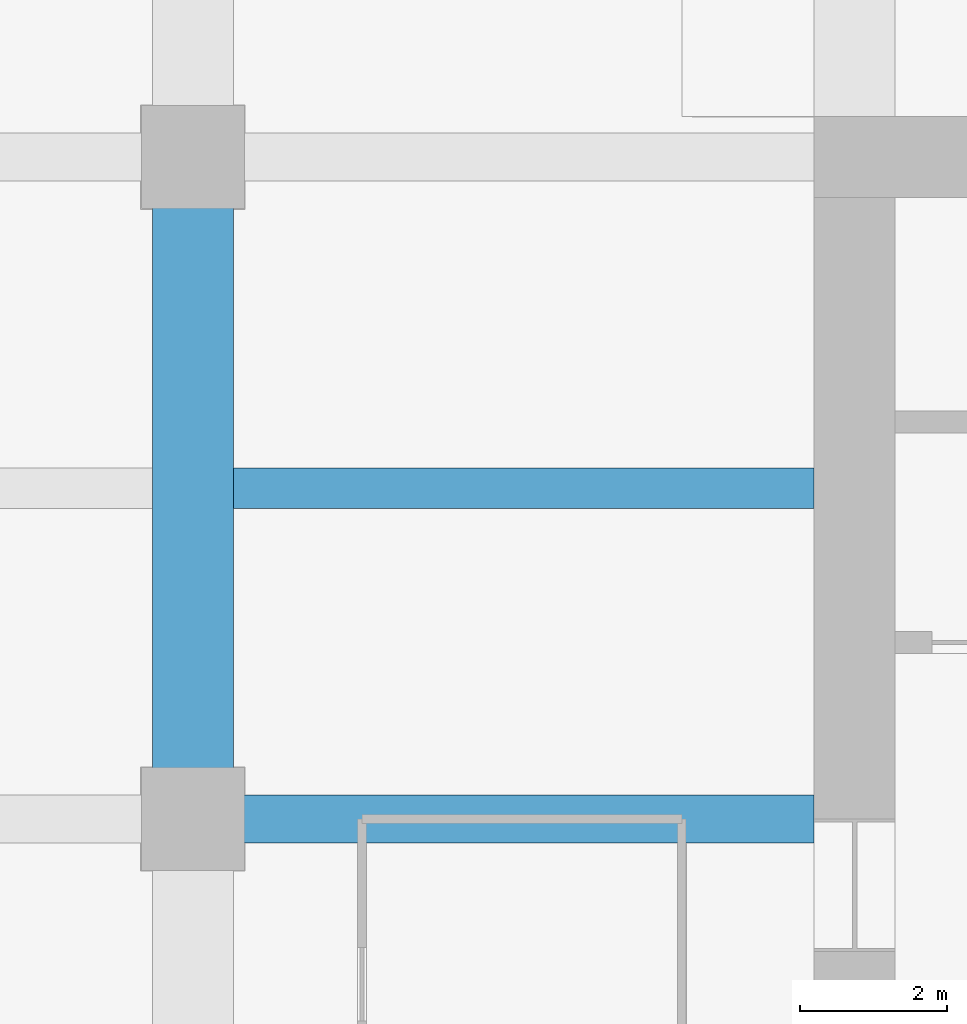
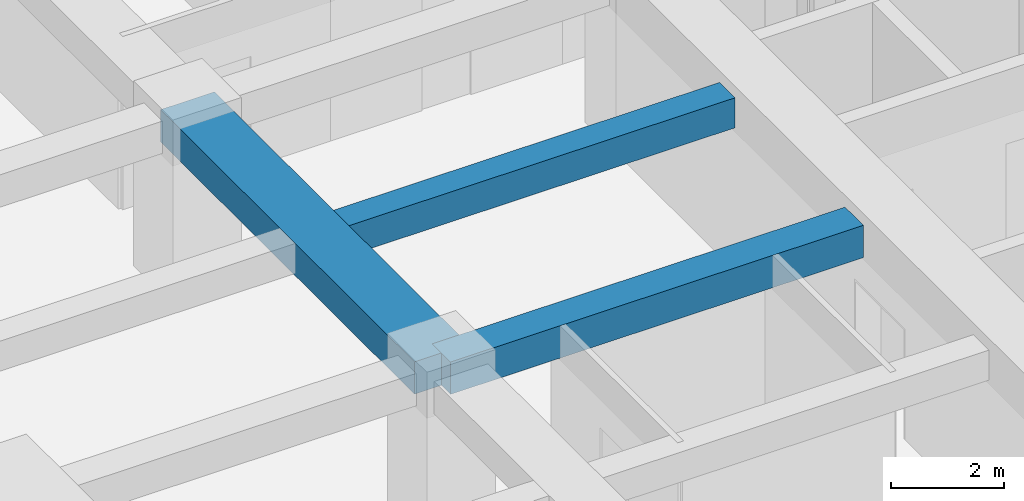
# One storey, part 12 of 33: 3 beams.
"""IFC4 building model written with IfcOpenShell, lengths in metres."""

from ifc_helpers import new_model, si_unit, direction, frame, origin, origin_2d, place, context, subcontext, project, spatial, rectangle, extrude, material, material_profile, profile_set, type_object, element, save


model = new_model("IFC4")

# Units and contexts
model_context = context("Model", 3, precision=1e-05, world=origin(), true_north=direction((0.0, 1.0)))
body_context = subcontext(model_context, "Body", "Model", "MODEL_VIEW")
ifc_project = project(units=[si_unit("LENGTHUNIT", "METRE"), si_unit("AREAUNIT", "SQUARE_METRE"), si_unit("VOLUMEUNIT", "CUBIC_METRE"), si_unit("PLANEANGLEUNIT", "RADIAN"), si_unit("MASSUNIT", "GRAM", prefix="KILO")], contexts=[model_context])

# Site, building, storey
site_placement = place(None, origin())
site = spatial("IfcSite", under=ifc_project, at=site_placement, CompositionType="ELEMENT")
building_placement = place(site_placement, origin())
building = spatial("IfcBuilding", under=site, at=building_placement, Name="Zorevar Civic Tower", CompositionType="ELEMENT")
storey_placement = place(building_placement, frame((0.0, 0.0, 206.199951171875)))
storey = spatial("IfcBuildingStorey", under=building, at=storey_placement, Name="L50", CompositionType="ELEMENT", Elevation=206.199951171875)

# Beams
ifc_material_1 = material(Name="Concrete C50/60", Category="concrete")
ifc_material_profile_1 = material_profile(ifc_material_1, rectangle(XDim=1.10009765625, YDim=0.699951171875, at=origin_2d()), Name="RC 1100x700")
ifc_profile_set_1 = profile_set([ifc_material_profile_1], Name="Concrete C50/60")
beam_type_1 = type_object("IfcBeamType", Name="Beam RC 1100x700", PredefinedType="BEAM", material=ifc_profile_set_1)
beam_1_placement = place(storey_placement, frame((9.0, 27.0, 3.400146484375), z_axis=(0.0, 1.0, 0.0), x_axis=(-1.0, 0.0, 0.0)))
element("IfcBeam", 1, at=beam_1_placement, inside=storey, type_object=beam_type_1, Name="Girder L51", PredefinedType="BEAM", context=body_context, shape_type="SweptSolid", body=[
    extrude(rectangle(XDim=1.10009765625, YDim=0.699951171875, at=origin_2d()), origin(), (0.0, 0.0, 1.0), 9.0),
])
ifc_material_2 = material(Name="Concrete C50/60", Category="concrete")
ifc_material_profile_2 = material_profile(ifc_material_2, rectangle(XDim=0.550048828125, YDim=0.64990234375, at=origin_2d()), Name="RC 550x650")
ifc_profile_set_2 = profile_set([ifc_material_profile_2], Name="Concrete C50/60")
beam_type_2 = type_object("IfcBeamType", Name="Beam RC 550x650", PredefinedType="BEAM", material=ifc_profile_set_2)
beam_2_placement = place(storey_placement, frame((9.550048828125, 31.5, 3.425048828125), z_axis=(1.0, 0.0, 0.0), x_axis=(0.0, 1.0, 0.0)))
element("IfcBeam", 2, at=beam_2_placement, inside=storey, type_object=beam_type_2, Name="Secondary beam L51", PredefinedType="BEAM", context=body_context, shape_type="SweptSolid", body=[
    extrude(rectangle(XDim=0.550048828125, YDim=0.64990234375, at=origin_2d()), origin(), (0.0, 0.0, 1.0), 7.89990234375),
])
ifc_material_3 = material(Name="Concrete C50/60", Category="concrete")
ifc_material_profile_3 = material_profile(ifc_material_3, rectangle(XDim=0.64990234375, YDim=0.699951171875, at=origin_2d()), Name="RC 650x700")
ifc_profile_set_3 = profile_set([ifc_material_profile_3], Name="Concrete C50/60")
beam_type_3 = type_object("IfcBeamType", Name="Beam RC 650x700", PredefinedType="BEAM", material=ifc_profile_set_3)
beam_3_placement = place(storey_placement, frame((9.0, 27.0, 3.400146484375), z_axis=(1.0, 0.0, 0.0), x_axis=(0.0, 1.0, 0.0)))
element("IfcBeam", 3, at=beam_3_placement, inside=storey, type_object=beam_type_3, Name="Girder L51", PredefinedType="BEAM", context=body_context, shape_type="SweptSolid", body=[
    extrude(rectangle(XDim=0.64990234375, YDim=0.699951171875, at=origin_2d()), origin(), (0.0, 0.0, 1.0), 8.449951171875),
])

save(model, "model.ifc")
